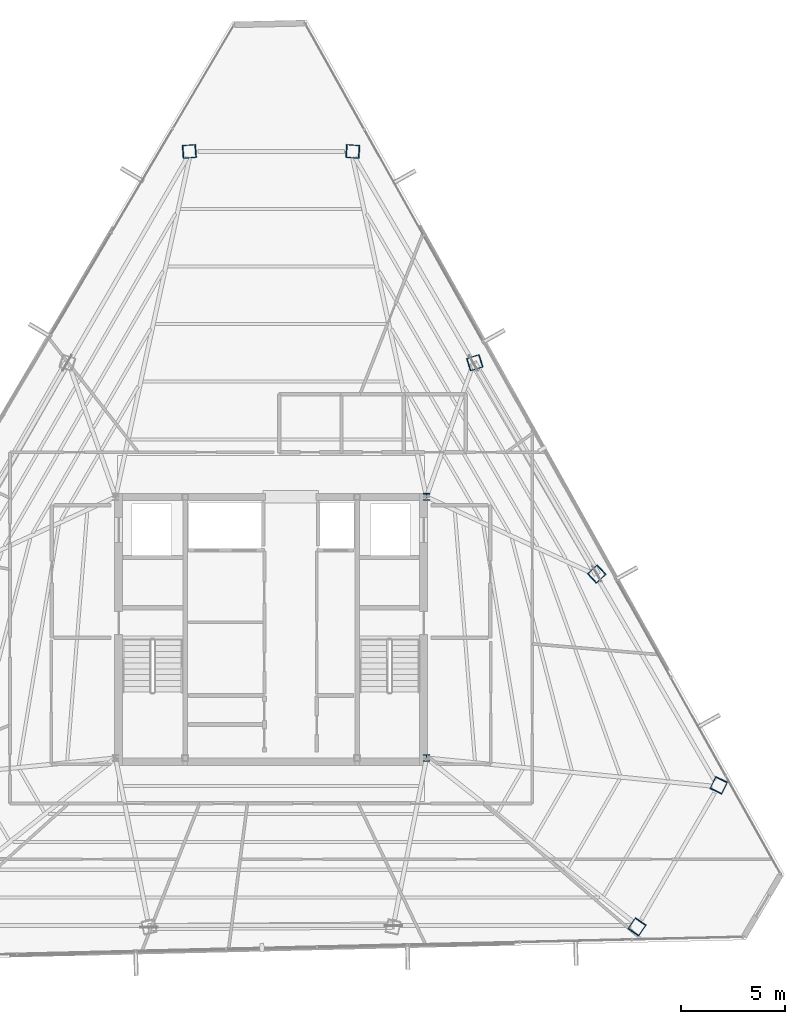
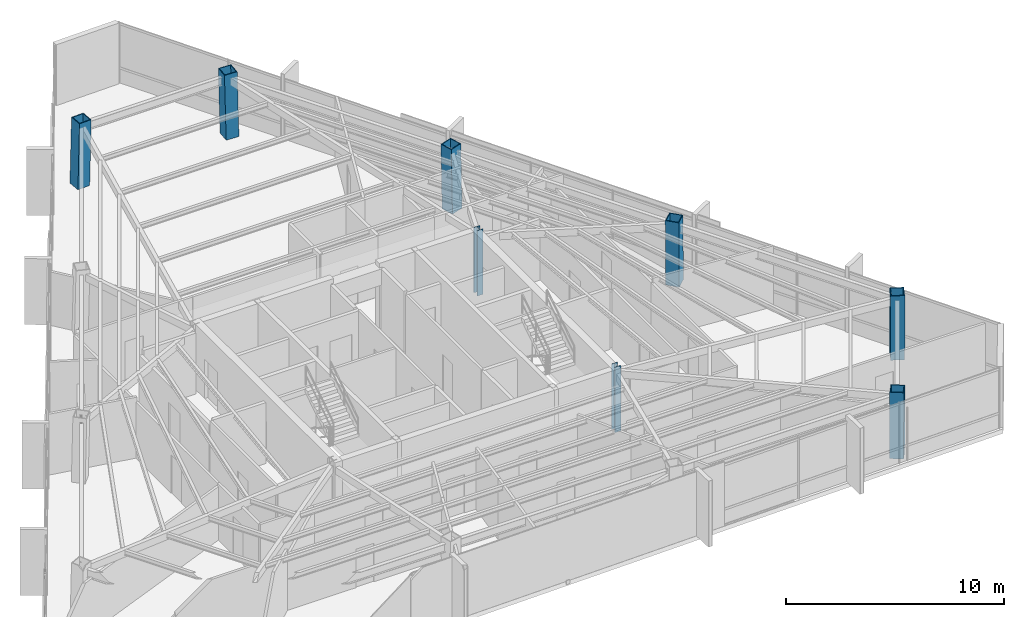
# One storey, part 2 of 46: 8 columns.
"""IFC4 building model written with IfcOpenShell, lengths in metres."""

from ifc_helpers import new_model, si_unit, direction, frame, origin, origin_2d, place, context, subcontext, project, spatial, hollow_rectangle, i_section, extrude, source, transform, mapped, material, material_profile, profile_set, type_object, type_shapes, element, save


model = new_model("IFC4")

# Units and contexts
model_context = context("Model", 3, precision=1e-05, world=origin(), true_north=direction((0.0, 1.0)))
body_context = subcontext(model_context, "Body", "Model", "MODEL_VIEW")
ifc_project = project(units=[si_unit("LENGTHUNIT", "METRE"), si_unit("AREAUNIT", "SQUARE_METRE"), si_unit("VOLUMEUNIT", "CUBIC_METRE"), si_unit("PLANEANGLEUNIT", "RADIAN"), si_unit("MASSUNIT", "GRAM", prefix="KILO")], contexts=[model_context])

# Site, building, storey
site_placement = place(None, origin())
site = spatial("IfcSite", under=ifc_project, at=site_placement, CompositionType="ELEMENT")
building_placement = place(site_placement, origin())
building = spatial("IfcBuilding", under=site, at=building_placement, Name="Caelisora Broadcast Tower", CompositionType="ELEMENT")
storey_placement = place(building_placement, frame((0.0, 0.0, 251.75)))
storey = spatial("IfcBuildingStorey", under=building, at=storey_placement, Name="L66", CompositionType="ELEMENT", Elevation=251.75)

# Columns
ifc_material_1 = material(Name="Steel Grade 350 (AS/NZS 3679.1)", Category="steel")
ifc_material_profile_1 = material_profile(ifc_material_1, i_section(OverallWidth=0.31103515625, OverallDepth=0.3271484375, WebThickness=0.015625, FlangeThickness=0.02490234375, at=origin_2d()), Name="Steel Grade 350 (AS/NZS 3679.1)")
ifc_profile_set_1 = profile_set([ifc_material_profile_1], Name="Steel Grade 350 (AS/NZS 3679.1)")
column_type_1 = type_object("IfcColumnType", Name="CC03", PredefinedType="COLUMN", material=ifc_profile_set_1)
shared_shape_1 = source(origin(), body_context, "Body", "SweptSolid", [
    extrude(i_section(OverallWidth=0.31103515625, OverallDepth=0.3271484375, WebThickness=0.015625, FlangeThickness=0.02490234375, at=origin_2d()), origin(), (0.0, 0.0, 1.0), 3.64990234375),
])
type_shapes(column_type_1, [shared_shape_1])
for number, where, z_axis, x_axis, name in (
    (1, (45.5, 17.39990234375, 0.0), (0.0, 0.0, 1.0), (1.0, 0.0, 0.0), "L66 column CC03"),
    (2, (45.5, 30.0, 0.0), (0.0, 0.0, 1.0), (1.0, 0.0, 0.0), "L66 column CC03"),
):
    element("IfcColumn", number, at=place(storey_placement, frame(where, z_axis=z_axis, x_axis=x_axis)), inside=storey, type_object=column_type_1, Name=name, PredefinedType="COLUMN", context=body_context, shape_type="MappedRepresentation", body=[
        mapped(shared_shape_1, transform((0.0, 0.0, 0.0), scale=1.0)),
    ])
ifc_material_2 = material(Name="Steel Grade 350 L15 (AS/NZS 3678)", Category="steel")
ifc_material_profile_2 = material_profile(ifc_material_2, hollow_rectangle(XDim=0.64990234375, YDim=0.64990234375, WallThickness=0.0400390625, at=origin_2d()), Name="Steel Grade 350 L15 (AS/NZS 3678)")
ifc_profile_set_2 = profile_set([ifc_material_profile_2], Name="Steel Grade 350 L15 (AS/NZS 3678)")
column_type_2 = type_object("IfcColumnType", Name="MC06", PredefinedType="COLUMN", material=ifc_profile_set_2)
shared_shape_2 = source(origin(), body_context, "Body", "SweptSolid", [
    extrude(hollow_rectangle(XDim=0.64990234375, YDim=0.64990234375, WallThickness=0.0400390625, at=origin_2d()), origin(), (0.0, 0.0, 1.0), 3.65087890625),
])
for number, where, z_axis, x_axis, name in (
    (3, (41.95703125, 46.66650390625, 0.0), (-0.023872756997, 0.001738632162, 0.999713493273), (-0.07263675076, -0.997358462359, 0.0), "L66 column MC06"),
    (4, (34.04296875, 46.66650390625, 0.0), (0.023872756997, 0.001738632162, 0.999713493273), (-0.07263675076, 0.997358462359, 0.0), "L66 column MC06"),
    (5, (55.651123046875, 9.23974609375, 0.0), (0.013507825582, 0.019793645407, 0.999712833893), (-0.825991119814, 0.563683129062, 0.0), "L66 column MC06"),
    (6, (59.6083984375, 16.09375, 0.0), (-0.010431780378, -0.021599135014, 0.999712286273), (0.900476348161, -0.434904985489, 0.0), "L66 column MC06"),
):
    element("IfcColumn", number, at=place(storey_placement, frame(where, z_axis=z_axis, x_axis=x_axis)), inside=storey, type_object=column_type_2, Name=name, PredefinedType="COLUMN", context=body_context, shape_type="MappedRepresentation", body=[
        mapped(shared_shape_2, transform((0.0, 0.0, 0.0), scale=1.0)),
    ])
shared_shape_3 = source(origin(), body_context, "Body", "SweptSolid", [
    extrude(hollow_rectangle(XDim=0.64990234375, YDim=0.64990234375, WallThickness=0.0400390625, at=origin_2d()), origin(), (0.0, 0.0, 1.0), 3.650634765625),
])
type_shapes(column_type_2, [shared_shape_2, shared_shape_3])
for number, where, z_axis, x_axis, name in (
    (7, (53.724609375, 26.28466796875, 0.0), (-0.014913313399, -0.013776424037, 0.999793880369), (0.678553674548, -0.734550822447, 0.0), "L66 column MC06"),
    (8, (47.8408203125, 36.4755859375, 0.0), (-0.019393993486, -0.006018825565, 0.999793802119), (0.296399214872, -0.955064136811, 0.0), "L66 column MC06"),
):
    element("IfcColumn", number, at=place(storey_placement, frame(where, z_axis=z_axis, x_axis=x_axis)), inside=storey, type_object=column_type_2, Name=name, PredefinedType="COLUMN", context=body_context, shape_type="MappedRepresentation", body=[
        mapped(shared_shape_3, transform((0.0, 0.0, 0.0), scale=1.0)),
    ])

save(model, "model.ifc")
